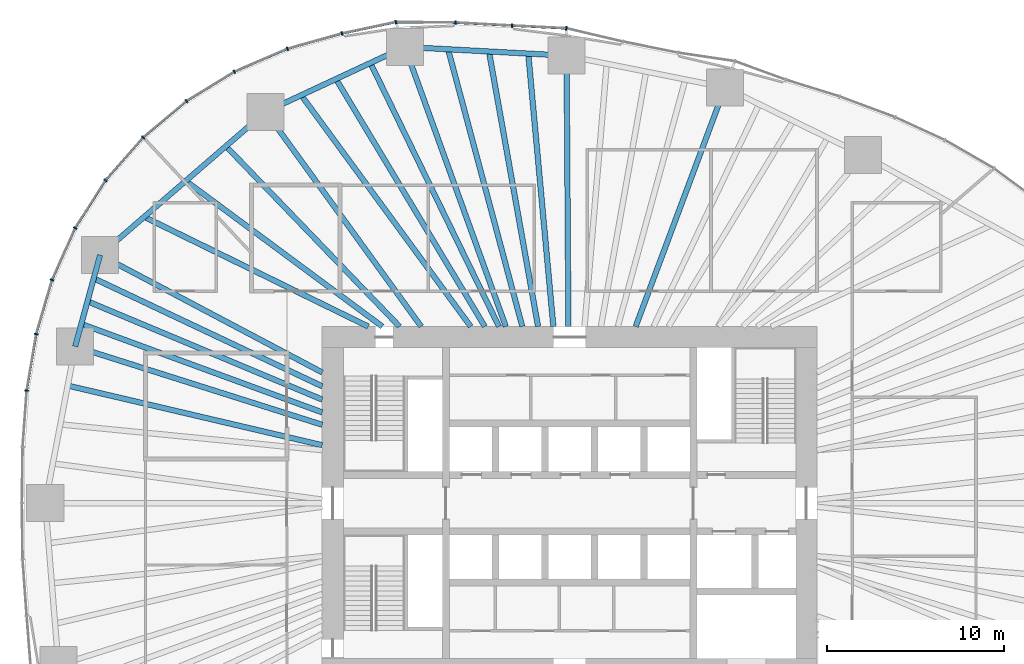
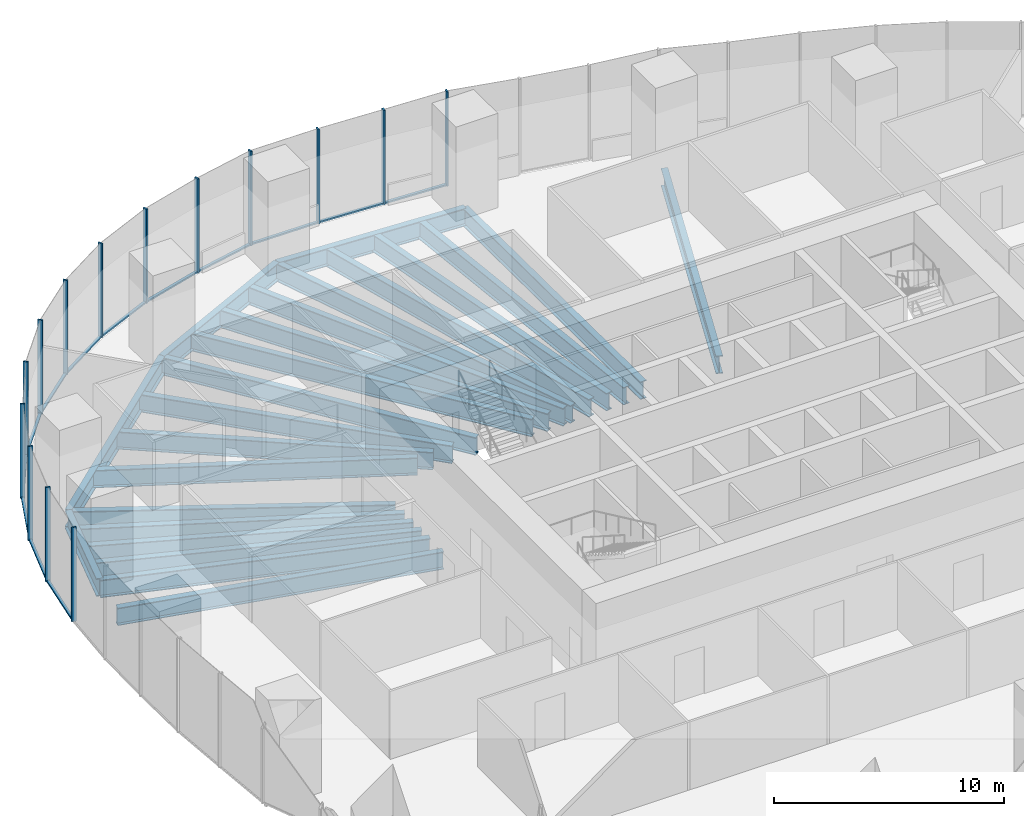
# One storey, part 5 of 20: 27 members, 23 beams, 5 elements without a shape of their own.
"""IFC4 building model written with IfcOpenShell, lengths in metres."""

from ifc_helpers import new_model, si_unit, direction, frame, origin, origin_2d, place, context, subcontext, project, spatial, rectangle, i_section, extrude, material, material_profile, profile_set, type_object, element, aggregate, save


model = new_model("IFC4")

# Units and contexts
model_context = context("Model", 3, precision=1e-05, world=origin(), true_north=direction((0.0, 1.0)))
body_context = subcontext(model_context, "Body", "Model", "MODEL_VIEW")
ifc_project = project(units=[si_unit("LENGTHUNIT", "METRE"), si_unit("AREAUNIT", "SQUARE_METRE"), si_unit("VOLUMEUNIT", "CUBIC_METRE"), si_unit("PLANEANGLEUNIT", "RADIAN"), si_unit("MASSUNIT", "GRAM", prefix="KILO")], contexts=[model_context])

# Site, building, storey
site_placement = place(None, origin())
site = spatial("IfcSite", under=ifc_project, at=site_placement, CompositionType="ELEMENT")
building_placement = place(site_placement, origin())
building = spatial("IfcBuilding", under=site, at=building_placement, Name="Ghaith Harvest Tower", CompositionType="ELEMENT")
storey_placement = place(building_placement, frame((0.0, 0.0, 40.0)))
storey = spatial("IfcBuildingStorey", under=building, at=storey_placement, Name="L08", CompositionType="ELEMENT", Elevation=40.0)

# Curtain wall, members
ifc_material_1 = material(Name="Black anodised aluminium and fritted glass", Category="aluminium")
curtain_wall_type = type_object("IfcCurtainWallType", Name="CW-F CURTAIN WALL", PredefinedType="NOTDEFINED", material=ifc_material_1)
curtain_wall_1_placement = place(storey_placement, origin())
curtain_wall_1 = element("IfcCurtainWall", 1, at=curtain_wall_1_placement, inside=storey, type_object=curtain_wall_type, Name="Curtain wall CW-F bay 06 L08", PredefinedType="NOTDEFINED")
ifc_material_2 = material(Name="Aluminium, black anodised", Category="aluminium")
ifc_material_profile_1 = material_profile(ifc_material_2, rectangle(XDim=0.080078125, YDim=0.219970703125, at=origin_2d()), Name="CW-F MULLION 80x220")
ifc_profile_set_1 = profile_set([ifc_material_profile_1], Name="Aluminium, black anodised")
member_type_1 = type_object("IfcMemberType", Name="CW-F MULLION 80x220", PredefinedType="MULLION", material=ifc_profile_set_1)
member_1_placement = place(storey_placement, frame((-0.183837890625, 26.877197265625, 0.0), z_axis=(0.0, 0.0, 1.0), x_axis=(-0.98971187143, 0.143074845976, 0.0)))
member_1 = element("IfcMember", 2, at=member_1_placement, type_object=member_type_1, Name="CW-F mullion 1 bay 06 L08", PredefinedType="MULLION", context=body_context, shape_type="SweptSolid", body=[
    extrude(rectangle(XDim=0.080078125, YDim=0.219970703125, at=origin_2d()), origin(), (0.0, 0.0, 1.0), 5.0),
])
member_2_placement = place(storey_placement, frame((-3.261962890625, 27.02978515625, 0.0), z_axis=(0.0, 0.0, 1.0), x_axis=(-0.998666923291, 0.051617597049, 0.0)))
member_2 = element("IfcMember", 3, at=member_2_placement, type_object=member_type_1, Name="CW-F mullion 2 bay 06 L08", PredefinedType="MULLION", context=body_context, shape_type="SweptSolid", body=[
    extrude(rectangle(XDim=0.080078125, YDim=0.219970703125, at=origin_2d()), origin(), (0.0, 0.0, 1.0), 5.0),
])
member_3_placement = place(storey_placement, frame((-6.465087890625, 27.20166015625, 0.0), z_axis=(0.0, 0.0, 1.0), x_axis=(-0.999527102163, 0.030750155138, 0.0)))
member_3 = element("IfcMember", 4, at=member_3_placement, type_object=member_type_1, Name="CW-F mullion 3 bay 06 L08", PredefinedType="MULLION", context=body_context, shape_type="SweptSolid", body=[
    extrude(rectangle(XDim=0.080078125, YDim=0.219970703125, at=origin_2d()), origin(), (0.0, 0.0, 1.0), 5.0),
])

curtain_wall_2_placement = place(storey_placement, origin())
curtain_wall_2 = element("IfcCurtainWall", 5, at=curtain_wall_2_placement, inside=storey, type_object=curtain_wall_type, Name="Curtain wall CW-F bay 07 L08", PredefinedType="NOTDEFINED")
member_4_placement = place(storey_placement, frame((-9.835693359375, 27.232177734375, 0.0), z_axis=(0.0, 0.0, 1.0), x_axis=(-0.995408459337, -0.095718332001, 0.0)))
member_4 = element("IfcMember", 6, at=member_4_placement, type_object=member_type_1, Name="CW-F mullion 1 bay 07 L08", PredefinedType="MULLION", context=body_context, shape_type="SweptSolid", body=[
    extrude(rectangle(XDim=0.080078125, YDim=0.219970703125, at=origin_2d()), origin(), (0.0, 0.0, 1.0), 5.0),
])
member_5_placement = place(storey_placement, frame((-12.880615234375, 26.5849609375, 0.0), z_axis=(0.0, 0.0, 1.0), x_axis=(-0.970824511782, -0.239791091, 0.0)))
member_5 = element("IfcMember", 7, at=member_5_placement, type_object=member_type_1, Name="CW-F mullion 2 bay 07 L08", PredefinedType="MULLION", context=body_context, shape_type="SweptSolid", body=[
    extrude(rectangle(XDim=0.080078125, YDim=0.219970703125, at=origin_2d()), origin(), (0.0, 0.0, 1.0), 5.0),
])
member_6_placement = place(storey_placement, frame((-15.97119140625, 25.716552734375, 0.0), z_axis=(0.0, 0.0, 1.0), x_axis=(-0.942293550527, -0.334787790451, 0.0)))
member_6 = element("IfcMember", 8, at=member_6_placement, type_object=member_type_1, Name="CW-F mullion 3 bay 07 L08", PredefinedType="MULLION", context=body_context, shape_type="SweptSolid", body=[
    extrude(rectangle(XDim=0.080078125, YDim=0.219970703125, at=origin_2d()), origin(), (0.0, 0.0, 1.0), 5.0),
])

curtain_wall_3_placement = place(storey_placement, origin())
curtain_wall_3 = element("IfcCurtainWall", 9, at=curtain_wall_3_placement, inside=storey, type_object=curtain_wall_type, Name="Curtain wall CW-F bay 08 L08", PredefinedType="NOTDEFINED")
member_7_placement = place(storey_placement, frame((-18.96728515625, 24.42236328125, 0.0), z_axis=(0.0, 0.0, 1.0), x_axis=(-0.887912253252, -0.460012859086, 0.0)))
member_7 = element("IfcMember", 10, at=member_7_placement, type_object=member_type_1, Name="CW-F mullion 1 bay 08 L08", PredefinedType="MULLION", context=body_context, shape_type="SweptSolid", body=[
    extrude(rectangle(XDim=0.080078125, YDim=0.219970703125, at=origin_2d()), origin(), (0.0, 0.0, 1.0), 5.0),
])
member_8_placement = place(storey_placement, frame((-21.681640625, 22.758056640625, 0.0), z_axis=(0.0, 0.0, 1.0), x_axis=(-0.811400750439, -0.584490224202, 0.0)))
member_8 = element("IfcMember", 11, at=member_8_placement, type_object=member_type_1, Name="CW-F mullion 2 bay 08 L08", PredefinedType="MULLION", context=body_context, shape_type="SweptSolid", body=[
    extrude(rectangle(XDim=0.080078125, YDim=0.219970703125, at=origin_2d()), origin(), (0.0, 0.0, 1.0), 5.0),
])
member_9_placement = place(storey_placement, frame((-24.139404296875, 20.696533203125, 0.0), z_axis=(0.0, 0.0, 1.0), x_axis=(-0.714663248213, -0.699468685256, 0.0)))
member_9 = element("IfcMember", 12, at=member_9_placement, type_object=member_type_1, Name="CW-F mullion 3 bay 08 L08", PredefinedType="MULLION", context=body_context, shape_type="SweptSolid", body=[
    extrude(rectangle(XDim=0.080078125, YDim=0.219970703125, at=origin_2d()), origin(), (0.0, 0.0, 1.0), 5.0),
])

curtain_wall_4_placement = place(storey_placement, origin())
curtain_wall_4 = element("IfcCurtainWall", 13, at=curtain_wall_4_placement, inside=storey, type_object=curtain_wall_type, Name="Curtain wall CW-F bay 09 L08", PredefinedType="NOTDEFINED")
member_10_placement = place(storey_placement, frame((-26.26318359375, 18.274169921875, 0.0), z_axis=(0.0, 0.0, 1.0), x_axis=(-0.599861600644, -0.800103780814, 0.0)))
member_10 = element("IfcMember", 14, at=member_10_placement, type_object=member_type_1, Name="CW-F mullion 1 bay 09 L08", PredefinedType="MULLION", context=body_context, shape_type="SweptSolid", body=[
    extrude(rectangle(XDim=0.080078125, YDim=0.219970703125, at=origin_2d()), origin(), (0.0, 0.0, 1.0), 5.0),
])
member_11_placement = place(storey_placement, frame((-27.986328125, 15.5654296875, 0.0), z_axis=(0.0, 0.0, 1.0), x_axis=(-0.473265082758, -0.880920065297, 0.0)))
member_11 = element("IfcMember", 15, at=member_11_placement, type_object=member_type_1, Name="CW-F mullion 2 bay 09 L08", PredefinedType="MULLION", context=body_context, shape_type="SweptSolid", body=[
    extrude(rectangle(XDim=0.080078125, YDim=0.219970703125, at=origin_2d()), origin(), (0.0, 0.0, 1.0), 5.0),
])
member_12_placement = place(storey_placement, frame((-29.29248046875, 12.63525390625, 0.0), z_axis=(0.0, 0.0, 1.0), x_axis=(-0.344618322502, -0.938742889079, 0.0)))
member_12 = element("IfcMember", 16, at=member_12_placement, type_object=member_type_1, Name="CW-F mullion 3 bay 09 L08", PredefinedType="MULLION", context=body_context, shape_type="SweptSolid", body=[
    extrude(rectangle(XDim=0.080078125, YDim=0.219970703125, at=origin_2d()), origin(), (0.0, 0.0, 1.0), 5.0),
])

curtain_wall_5_placement = place(storey_placement, origin())
curtain_wall_5 = element("IfcCurtainWall", 17, at=curtain_wall_5_placement, inside=storey, type_object=curtain_wall_type, Name="Curtain wall CW-F bay 10 L08", PredefinedType="NOTDEFINED")
member_13_placement = place(storey_placement, frame((-30.1884765625, 9.567138671875, 0.0), z_axis=(0.0, 0.0, 1.0), x_axis=(-0.222967363645, -0.97482590997, 0.0)))
member_13 = element("IfcMember", 18, at=member_13_placement, type_object=member_type_1, Name="CW-F mullion 1 bay 10 L08", PredefinedType="MULLION", context=body_context, shape_type="SweptSolid", body=[
    extrude(rectangle(XDim=0.080078125, YDim=0.219970703125, at=origin_2d()), origin(), (0.0, 0.0, 1.0), 5.0),
])
member_14_placement = place(storey_placement, frame((-30.724365234375, 6.37548828125, 0.0), z_axis=(0.0, 0.0, 1.0), x_axis=(-0.119352816132, -0.99285190501, 0.0)))
member_14 = element("IfcMember", 19, at=member_14_placement, type_object=member_type_1, Name="CW-F mullion 2 bay 10 L08", PredefinedType="MULLION", context=body_context, shape_type="SweptSolid", body=[
    extrude(rectangle(XDim=0.080078125, YDim=0.219970703125, at=origin_2d()), origin(), (0.0, 0.0, 1.0), 5.0),
])

# Member
ifc_material_3 = material(Name="Aluminium, black anodised", Category="aluminium")
ifc_material_profile_2 = material_profile(ifc_material_3, rectangle(XDim=0.139892578125, YDim=0.080078125, at=origin_2d()), Name="CW-F TRANSOM 140x80")
ifc_profile_set_2 = profile_set([ifc_material_profile_2], Name="Aluminium, black anodised")
member_type_2 = type_object("IfcMemberType", Name="CW-F TRANSOM 140x80", PredefinedType="USERDEFINED", material=ifc_profile_set_2)
member_15_placement = place(storey_placement, frame((-0.223876953125, 26.879150390625, 0.0400390625), z_axis=(-0.998772539109, 0.049531960612, 0.0), x_axis=(-0.049531960612, -0.998772539109, 0.0)))
member_15 = element("IfcMember", 20, at=member_15_placement, type_object=member_type_2, Name="CW-F transom 1 bay 06 L08", ObjectType="TRANSOM", PredefinedType="USERDEFINED", context=body_context, shape_type="SweptSolid", body=[
    extrude(rectangle(XDim=0.139892578125, YDim=0.080078125, at=origin_2d()), origin(), (0.0, 0.0, 1.0), 3.001708984375),
])

member_16_placement = place(storey_placement, frame((-3.3017578125, 27.031982421875, 0.0400390625), z_axis=(-0.99856142387, 0.053619798202, 0.0), x_axis=(-0.053619798202, -0.99856142387, 0.0)))
member_16 = element("IfcMember", 21, at=member_16_placement, type_object=member_type_2, Name="CW-F transom 2 bay 06 L08", ObjectType="TRANSOM", PredefinedType="USERDEFINED", context=body_context, shape_type="SweptSolid", body=[
    extrude(rectangle(XDim=0.139892578125, YDim=0.080078125, at=origin_2d()), origin(), (0.0, 0.0, 1.0), 3.1279296875),
])

member_17_placement = place(storey_placement, frame((-6.505126953125, 27.2021484375, 0.0400390625), z_axis=(-0.999959703847, 0.008977231352, 0.0), x_axis=(-0.008977231352, -0.999959703847, 0.0)))
member_17 = element("IfcMember", 22, at=member_17_placement, type_object=member_type_2, Name="CW-F transom 3 bay 06 L08", ObjectType="TRANSOM", PredefinedType="USERDEFINED", context=body_context, shape_type="SweptSolid", body=[
    extrude(rectangle(XDim=0.139892578125, YDim=0.080078125, at=origin_2d()), origin(), (0.0, 0.0, 1.0), 3.290771484375),
])

aggregate(curtain_wall_1, [member_1, member_15, member_2, member_16, member_3, member_17])

member_18_placement = place(storey_placement, frame((-9.874755859375, 27.2236328125, 0.0400390625), z_axis=(-0.978160283029, -0.207852016359, 0.0), x_axis=(0.207852016359, -0.978160283029, 0.0)))
member_18 = element("IfcMember", 23, at=member_18_placement, type_object=member_type_2, Name="CW-F transom 1 bay 07 L08", ObjectType="TRANSOM", PredefinedType="USERDEFINED", context=body_context, shape_type="SweptSolid", body=[
    extrude(rectangle(XDim=0.139892578125, YDim=0.080078125, at=origin_2d()), origin(), (0.0, 0.0, 1.0), 3.03271484375),
])

member_19_placement = place(storey_placement, frame((-12.9189453125, 26.573974609375, 0.0400390625), z_axis=(-0.962727128991, -0.270474536888, 0.0), x_axis=(0.270474536888, -0.962727128991, 0.0)))
member_19 = element("IfcMember", 24, at=member_19_placement, type_object=member_type_2, Name="CW-F transom 2 bay 07 L08", ObjectType="TRANSOM", PredefinedType="USERDEFINED", context=body_context, shape_type="SweptSolid", body=[
    extrude(rectangle(XDim=0.139892578125, YDim=0.080078125, at=origin_2d()), origin(), (0.0, 0.0, 1.0), 3.13037109375),
])

member_20_placement = place(storey_placement, frame((-16.008056640625, 25.70068359375, 0.0400390625), z_axis=(-0.9180027124, -0.396574104079, 0.0), x_axis=(0.396574104079, -0.9180027124, 0.0)))
member_20 = element("IfcMember", 25, at=member_20_placement, type_object=member_type_2, Name="CW-F transom 3 bay 07 L08", ObjectType="TRANSOM", PredefinedType="USERDEFINED", context=body_context, shape_type="SweptSolid", body=[
    extrude(rectangle(XDim=0.139892578125, YDim=0.080078125, at=origin_2d()), origin(), (0.0, 0.0, 1.0), 3.183349609375),
])

aggregate(curtain_wall_2, [member_4, member_18, member_5, member_19, member_6, member_20])

member_21_placement = place(storey_placement, frame((-19.001220703125, 24.4013671875, 0.0400390625), z_axis=(-0.852561687195, -0.522626606219, 0.0), x_axis=(0.522626606219, -0.852561687195, 0.0)))
member_21 = element("IfcMember", 26, at=member_21_placement, type_object=member_type_2, Name="CW-F transom 1 bay 08 L08", ObjectType="TRANSOM", PredefinedType="USERDEFINED", context=body_context, shape_type="SweptSolid", body=[
    extrude(rectangle(XDim=0.139892578125, YDim=0.080078125, at=origin_2d()), origin(), (0.0, 0.0, 1.0), 3.104248046875),
])

member_22_placement = place(storey_placement, frame((-21.71240234375, 22.732421875, 0.0400390625), z_axis=(-0.766144434184, -0.642668426149, 0.0), x_axis=(0.642668426149, -0.766144434184, 0.0)))
member_22 = element("IfcMember", 27, at=member_22_placement, type_object=member_type_2, Name="CW-F transom 2 bay 08 L08", ObjectType="TRANSOM", PredefinedType="USERDEFINED", context=body_context, shape_type="SweptSolid", body=[
    extrude(rectangle(XDim=0.139892578125, YDim=0.080078125, at=origin_2d()), origin(), (0.0, 0.0, 1.0), 3.1279296875),
])

member_23_placement = place(storey_placement, frame((-24.165771484375, 20.66650390625, 0.0400390625), z_axis=(-0.65923052982, -0.751940894322, 0.0), x_axis=(0.751940894322, -0.65923052982, 0.0)))
member_23 = element("IfcMember", 28, at=member_23_placement, type_object=member_type_2, Name="CW-F transom 3 bay 08 L08", ObjectType="TRANSOM", PredefinedType="USERDEFINED", context=body_context, shape_type="SweptSolid", body=[
    extrude(rectangle(XDim=0.139892578125, YDim=0.080078125, at=origin_2d()), origin(), (0.0, 0.0, 1.0), 3.1416015625),
])

aggregate(curtain_wall_3, [member_7, member_21, member_8, member_22, member_9, member_23])

member_24_placement = place(storey_placement, frame((-26.28466796875, 18.240234375, 0.0400390625), z_axis=(-0.536754366643, -0.843738555412, 0.0), x_axis=(0.843738555412, -0.536754366643, 0.0)))
member_24 = element("IfcMember", 29, at=member_24_placement, type_object=member_type_2, Name="CW-F transom 1 bay 09 L08", ObjectType="TRANSOM", PredefinedType="USERDEFINED", context=body_context, shape_type="SweptSolid", body=[
    extrude(rectangle(XDim=0.139892578125, YDim=0.080078125, at=origin_2d()), origin(), (0.0, 0.0, 1.0), 3.13037109375),
])

member_25_placement = place(storey_placement, frame((-28.002685546875, 15.52880859375, 0.0400390625), z_axis=(-0.407123143204, -0.913373278714, 0.0), x_axis=(0.913373278714, -0.407123143204, 0.0)))
member_25 = element("IfcMember", 30, at=member_25_placement, type_object=member_type_2, Name="CW-F transom 2 bay 09 L08", ObjectType="TRANSOM", PredefinedType="USERDEFINED", context=body_context, shape_type="SweptSolid", body=[
    extrude(rectangle(XDim=0.139892578125, YDim=0.080078125, at=origin_2d()), origin(), (0.0, 0.0, 1.0), 3.1279296875),
])

member_26_placement = place(storey_placement, frame((-29.3037109375, 12.596923828125, 0.0400390625), z_axis=(-0.280324903873, -0.959905176707, 0.0), x_axis=(0.959905176707, -0.280324903873, 0.0)))
member_26 = element("IfcMember", 31, at=member_26_placement, type_object=member_type_2, Name="CW-F transom 3 bay 09 L08", ObjectType="TRANSOM", PredefinedType="USERDEFINED", context=body_context, shape_type="SweptSolid", body=[
    extrude(rectangle(XDim=0.139892578125, YDim=0.080078125, at=origin_2d()), origin(), (0.0, 0.0, 1.0), 3.1162109375),
])

aggregate(curtain_wall_4, [member_10, member_24, member_11, member_25, member_12, member_26])

member_27_placement = place(storey_placement, frame((-30.195068359375, 9.52783203125, 0.0400390625), z_axis=(-0.165527763099, -0.986205130611, 0.0), x_axis=(0.986205130611, -0.165527763099, 0.0)))
member_27 = element("IfcMember", 32, at=member_27_placement, type_object=member_type_2, Name="CW-F transom 1 bay 10 L08", ObjectType="TRANSOM", PredefinedType="USERDEFINED", context=body_context, shape_type="SweptSolid", body=[
    extrude(rectangle(XDim=0.139892578125, YDim=0.080078125, at=origin_2d()), origin(), (0.0, 0.0, 1.0), 3.15625),
])

aggregate(curtain_wall_5, [member_13, member_27, member_14])

# Beams
ifc_material_4 = material(Name="Steel ASTM A992 Grade 50", Category="steel")
ifc_material_profile_3 = material_profile(ifc_material_4, i_section(OverallWidth=0.306884765625, OverallDepth=0.94189453125, WebThickness=0.022216796875, FlangeThickness=0.039794921875, at=origin_2d()), Name="W920X345")
ifc_profile_set_3 = profile_set([ifc_material_profile_3], Name="Steel ASTM A992 Grade 50")
beam_type_1 = type_object("IfcBeamType", Name="E920-345 W920X345", PredefinedType="SPANDREL", material=ifc_profile_set_3)
beam_1_placement = place(storey_placement, frame((-0.173095703125, 25.326904296875, -0.6708984375), z_axis=(-0.998545840532, 0.053909223293, 0.0), x_axis=(-0.053909223293, -0.998545840532, 0.0)))
element("IfcBeam", 33, at=beam_1_placement, inside=storey, type_object=beam_type_1, Name="Edge beam E06 L08", PredefinedType="SPANDREL", context=body_context, shape_type="SweptSolid", body=[
    extrude(i_section(OverallWidth=0.306884765625, OverallDepth=0.94189453125, WebThickness=0.022216796875, FlangeThickness=0.039794921875, at=origin_2d()), origin(), (0.0, 0.0, 1.0), 9.166259765625),
])
beam_2_placement = place(storey_placement, frame((-9.325927734375, 25.821044921875, -0.6708984375), z_axis=(-0.906373259523, -0.422477827137, 0.0), x_axis=(0.422477827137, -0.906373259523, 0.0)))
element("IfcBeam", 34, at=beam_2_placement, inside=storey, type_object=beam_type_1, Name="Edge beam E07 L08", PredefinedType="SPANDREL", context=body_context, shape_type="SweptSolid", body=[
    extrude(i_section(OverallWidth=0.306884765625, OverallDepth=0.94189453125, WebThickness=0.022216796875, FlangeThickness=0.039794921875, at=origin_2d()), origin(), (0.0, 0.0, 1.0), 8.689453125),
])
beam_3_placement = place(storey_placement, frame((-17.201904296875, 22.14990234375, -0.6708984375), z_axis=(-0.756392158274, -0.654118416574, 0.0), x_axis=(0.654118416574, -0.756392158274, 0.0)))
element("IfcBeam", 35, at=beam_3_placement, inside=storey, type_object=beam_type_1, Name="Edge beam E08 L08", PredefinedType="SPANDREL", context=body_context, shape_type="SweptSolid", body=[
    extrude(i_section(OverallWidth=0.306884765625, OverallDepth=0.94189453125, WebThickness=0.022216796875, FlangeThickness=0.039794921875, at=origin_2d()), origin(), (0.0, 0.0, 1.0), 12.38916015625),
])
beam_4_placement = place(storey_placement, frame((-26.572998046875, 14.0458984375, -0.6708984375), z_axis=(-0.262724740433, -0.964870825947, 0.0), x_axis=(0.964870825947, -0.262724740433, 0.0)))
element("IfcBeam", 36, at=beam_4_placement, inside=storey, type_object=beam_type_1, Name="Edge beam E09 L08", PredefinedType="SPANDREL", context=body_context, shape_type="SweptSolid", body=[
    extrude(i_section(OverallWidth=0.306884765625, OverallDepth=0.94189453125, WebThickness=0.022216796875, FlangeThickness=0.039794921875, at=origin_2d()), origin(), (0.0, 0.0, 1.0), 5.366455078125),
])
ifc_material_5 = material(Name="Steel ASTM A992 Grade 50", Category="steel")
ifc_material_profile_4 = material_profile(ifc_material_5, i_section(OverallWidth=0.306884765625, OverallDepth=0.94189453125, WebThickness=0.022216796875, FlangeThickness=0.039794921875, at=origin_2d()), Name="W920X345")
ifc_profile_set_4 = profile_set([ifc_material_profile_4], Name="Steel ASTM A992 Grade 50")
beam_type_2 = type_object("IfcBeamType", Name="G920-345 W920X345", PredefinedType="BEAM", material=ifc_profile_set_4)
beam_5_placement = place(storey_placement, frame((3.73828125, 10.0, -0.6708984375), z_axis=(0.350150596156, 0.936693418367, 0.0), x_axis=(-0.936693418367, 0.350150596156, 0.0)))
element("IfcBeam", 37, at=beam_5_placement, inside=storey, type_object=beam_type_2, Name="Radial girder G05 L08", PredefinedType="BEAM", context=body_context, shape_type="SweptSolid", body=[
    extrude(i_section(OverallWidth=0.306884765625, OverallDepth=0.94189453125, WebThickness=0.022216796875, FlangeThickness=0.039794921875, at=origin_2d()), origin(), (0.0, 0.0, 1.0), 14.44140625),
])
beam_6_placement = place(storey_placement, frame((-0.068359375, 10.0, -0.6708984375), z_axis=(-0.006833335732, 0.999976652489, 0.0), x_axis=(-0.999976652489, -0.006833335732, 0.0)))
element("IfcBeam", 38, at=beam_6_placement, inside=storey, type_object=beam_type_2, Name="Radial girder G06 L08", PredefinedType="BEAM", context=body_context, shape_type="SweptSolid", body=[
    extrude(i_section(OverallWidth=0.306884765625, OverallDepth=0.94189453125, WebThickness=0.022216796875, FlangeThickness=0.039794921875, at=origin_2d()), origin(), (0.0, 0.0, 1.0), 15.3271484375),
])
beam_7_placement = place(storey_placement, frame((-3.61181640625, 10.0, -0.6708984375), z_axis=(-0.339694751271, 0.940535738799, 0.0), x_axis=(-0.940535738799, -0.339694751271, 0.0)))
element("IfcBeam", 39, at=beam_7_placement, inside=storey, type_object=beam_type_2, Name="Radial girder G07 L08", PredefinedType="BEAM", context=body_context, shape_type="SweptSolid", body=[
    extrude(i_section(OverallWidth=0.306884765625, OverallDepth=0.94189453125, WebThickness=0.022216796875, FlangeThickness=0.039794921875, at=origin_2d()), origin(), (0.0, 0.0, 1.0), 16.8212890625),
])
beam_8_placement = place(storey_placement, frame((-8.39990234375, 10.0, -0.6708984375), z_axis=(-0.586675813287, 0.809821887889, 0.0), x_axis=(-0.809821887889, -0.586675813287, 0.0)))
element("IfcBeam", 40, at=beam_8_placement, inside=storey, type_object=beam_type_2, Name="Radial girder G08 L08", PredefinedType="BEAM", context=body_context, shape_type="SweptSolid", body=[
    extrude(i_section(OverallWidth=0.306884765625, OverallDepth=0.94189453125, WebThickness=0.022216796875, FlangeThickness=0.039794921875, at=origin_2d()), origin(), (0.0, 0.0, 1.0), 15.003173828125),
])
beam_9_placement = place(storey_placement, frame((-14.0, 7.39990234375, -0.6708984375), z_axis=(-0.88408713845, 0.467322085533, 0.0), x_axis=(-0.467322085533, -0.88408713845, 0.0)))
element("IfcBeam", 41, at=beam_9_placement, inside=storey, type_object=beam_type_2, Name="Radial girder G09 L08", PredefinedType="BEAM", context=body_context, shape_type="SweptSolid", body=[
    extrude(i_section(OverallWidth=0.306884765625, OverallDepth=0.94189453125, WebThickness=0.022216796875, FlangeThickness=0.039794921875, at=origin_2d()), origin(), (0.0, 0.0, 1.0), 14.221435546875),
])
beam_10_placement = place(storey_placement, frame((-14.0, 4.43701171875, -0.6708984375), z_axis=(-0.953283605796, 0.302076756671, 0.0), x_axis=(-0.302076756671, -0.953283605796, 0.0)))
element("IfcBeam", 42, at=beam_10_placement, inside=storey, type_object=beam_type_2, Name="Radial girder G10 L08", PredefinedType="BEAM", context=body_context, shape_type="SweptSolid", body=[
    extrude(i_section(OverallWidth=0.306884765625, OverallDepth=0.94189453125, WebThickness=0.022216796875, FlangeThickness=0.039794921875, at=origin_2d()), origin(), (0.0, 0.0, 1.0), 14.668212890625),
])
ifc_material_6 = material(Name="Steel ASTM A992 Grade 50", Category="steel")
ifc_material_profile_5 = material_profile(ifc_material_6, i_section(OverallWidth=0.31005859375, OverallDepth=0.927001953125, WebThickness=0.019287109375, FlangeThickness=0.031982421875, at=origin_2d()), Name="W920X289")
ifc_profile_set_5 = profile_set([ifc_material_profile_5], Name="Steel ASTM A992 Grade 50")
beam_type_3 = type_object("IfcBeamType", Name="J920-289 W920X289", PredefinedType="JOIST", material=ifc_profile_set_5)
beam_11_placement = place(storey_placement, frame((-0.92041015625, 10.0, -0.66357421875), z_axis=(-0.091647013776, 0.995791556936, 0.0), x_axis=(-0.995791556936, -0.091647013776, 0.0)))
element("IfcBeam", 43, at=beam_11_placement, inside=storey, type_object=beam_type_3, Name="Joist J06.1 L08", PredefinedType="JOIST", context=body_context, shape_type="SweptSolid", body=[
    extrude(i_section(OverallWidth=0.31005859375, OverallDepth=0.927001953125, WebThickness=0.019287109375, FlangeThickness=0.031982421875, at=origin_2d()), origin(), (0.0, 0.0, 1.0), 15.50927734375),
])
beam_12_placement = place(storey_placement, frame((-1.785888671875, 10.0, -0.66357421875), z_axis=(-0.175789035136, 0.984427861819, 0.0), x_axis=(-0.984427861819, -0.175789035136, 0.0)))
element("IfcBeam", 44, at=beam_12_placement, inside=storey, type_object=beam_type_3, Name="Joist J06.2 L08", PredefinedType="JOIST", context=body_context, shape_type="SweptSolid", body=[
    extrude(i_section(OverallWidth=0.31005859375, OverallDepth=0.927001953125, WebThickness=0.019287109375, FlangeThickness=0.031982421875, at=origin_2d()), origin(), (0.0, 0.0, 1.0), 15.810302734375),
])
beam_13_placement = place(storey_placement, frame((-10.60009765625, 10.0, -0.66357421875), z_axis=(-0.803663089107, 0.595084564752, 0.0), x_axis=(-0.595084564752, -0.803663089107, 0.0)))
element("IfcBeam", 45, at=beam_13_placement, inside=storey, type_object=beam_type_3, Name="Joist J08.2 L08", PredefinedType="JOIST", context=body_context, shape_type="SweptSolid", body=[
    extrude(i_section(OverallWidth=0.31005859375, OverallDepth=0.927001953125, WebThickness=0.019287109375, FlangeThickness=0.031982421875, at=origin_2d()), origin(), (0.0, 0.0, 1.0), 13.843505859375),
])
beam_14_placement = place(storey_placement, frame((-11.39990234375, 10.0, -0.66357421875), z_axis=(-0.898274832354, 0.439434096946, 0.0), x_axis=(-0.439434096946, -0.898274832354, 0.0)))
element("IfcBeam", 46, at=beam_14_placement, inside=storey, type_object=beam_type_3, Name="Joist J08.3 L08", PredefinedType="JOIST", context=body_context, shape_type="SweptSolid", body=[
    extrude(i_section(OverallWidth=0.31005859375, OverallDepth=0.927001953125, WebThickness=0.019287109375, FlangeThickness=0.031982421875, at=origin_2d()), origin(), (0.0, 0.0, 1.0), 14.114990234375),
])
beam_15_placement = place(storey_placement, frame((-14.0, 6.614990234375, -0.66357421875), z_axis=(-0.904153428261, 0.427207886354, 0.0), x_axis=(-0.427207886354, -0.904153428261, 0.0)))
element("IfcBeam", 47, at=beam_15_placement, inside=storey, type_object=beam_type_3, Name="Joist J09.1 L08", PredefinedType="JOIST", context=body_context, shape_type="SweptSolid", body=[
    extrude(i_section(OverallWidth=0.31005859375, OverallDepth=0.927001953125, WebThickness=0.019287109375, FlangeThickness=0.031982421875, at=origin_2d()), origin(), (0.0, 0.0, 1.0), 14.303466796875),
])
beam_16_placement = place(storey_placement, frame((-14.0, 5.862548828125, -0.66357421875), z_axis=(-0.922385943167, 0.38626955853, 0.0), x_axis=(-0.38626955853, -0.922385943167, 0.0)))
element("IfcBeam", 48, at=beam_16_placement, inside=storey, type_object=beam_type_3, Name="Joist J09.2 L08", PredefinedType="JOIST", context=body_context, shape_type="SweptSolid", body=[
    extrude(i_section(OverallWidth=0.31005859375, OverallDepth=0.927001953125, WebThickness=0.019287109375, FlangeThickness=0.031982421875, at=origin_2d()), origin(), (0.0, 0.0, 1.0), 14.404296875),
])
beam_17_placement = place(storey_placement, frame((-14.0, 5.137939453125, -0.66357421875), z_axis=(-0.93877541132, 0.344529718748, 0.0), x_axis=(-0.344529718748, -0.93877541132, 0.0)))
element("IfcBeam", 49, at=beam_17_placement, inside=storey, type_object=beam_type_3, Name="Joist J09.3 L08", PredefinedType="JOIST", context=body_context, shape_type="SweptSolid", body=[
    extrude(i_section(OverallWidth=0.31005859375, OverallDepth=0.927001953125, WebThickness=0.019287109375, FlangeThickness=0.031982421875, at=origin_2d()), origin(), (0.0, 0.0, 1.0), 14.525390625),
])
beam_18_placement = place(storey_placement, frame((-14.0, 3.280517578125, -0.66357421875), z_axis=(-0.973623012228, 0.228162727151, 0.0), x_axis=(-0.228162727151, -0.973623012228, 0.0)))
element("IfcBeam", 50, at=beam_18_placement, inside=storey, type_object=beam_type_3, Name="Joist J10.1 L08", PredefinedType="JOIST", context=body_context, shape_type="SweptSolid", body=[
    extrude(i_section(OverallWidth=0.31005859375, OverallDepth=0.927001953125, WebThickness=0.019287109375, FlangeThickness=0.031982421875, at=origin_2d()), origin(), (0.0, 0.0, 1.0), 14.795166015625),
])
ifc_material_7 = material(Name="Steel ASTM A992 Grade 50", Category="steel")
ifc_material_profile_6 = material_profile(ifc_material_7, i_section(OverallWidth=0.306884765625, OverallDepth=0.94189453125, WebThickness=0.022216796875, FlangeThickness=0.039794921875, at=origin_2d()), Name="W920X345")
ifc_profile_set_6 = profile_set([ifc_material_profile_6], Name="Steel ASTM A992 Grade 50")
beam_type_4 = type_object("IfcBeamType", Name="J920-345 W920X345", PredefinedType="JOIST", material=ifc_profile_set_6)
beam_19_placement = place(storey_placement, frame((-2.677978515625, 10.0, -0.6708984375), z_axis=(-0.258679482451, 0.965963211183, 0.0), x_axis=(-0.965963211183, -0.258679482451, 0.0)))
element("IfcBeam", 51, at=beam_19_placement, inside=storey, type_object=beam_type_4, Name="Joist J06.3 L08", PredefinedType="JOIST", context=body_context, shape_type="SweptSolid", body=[
    extrude(i_section(OverallWidth=0.306884765625, OverallDepth=0.94189453125, WebThickness=0.022216796875, FlangeThickness=0.039794921875, at=origin_2d()), origin(), (0.0, 0.0, 1.0), 16.24169921875),
])
beam_20_placement = place(storey_placement, frame((-4.0, 10.0, -0.6708984375), z_axis=(-0.438505380705, 0.898728563635, 0.0), x_axis=(-0.898728563635, -0.438505380705, 0.0)))
element("IfcBeam", 52, at=beam_20_placement, inside=storey, type_object=beam_type_4, Name="Joist J07.1 L08", PredefinedType="JOIST", context=body_context, shape_type="SweptSolid", body=[
    extrude(i_section(OverallWidth=0.306884765625, OverallDepth=0.94189453125, WebThickness=0.022216796875, FlangeThickness=0.039794921875, at=origin_2d()), origin(), (0.0, 0.0, 1.0), 16.592529296875),
])
beam_21_placement = place(storey_placement, frame((-4.800048828125, 10.0, -0.6708984375), z_axis=(-0.515358894704, 0.85697445099, 0.0), x_axis=(-0.85697445099, -0.515358894704, 0.0)))
element("IfcBeam", 53, at=beam_21_placement, inside=storey, type_object=beam_type_4, Name="Joist J07.2 L08", PredefinedType="JOIST", context=body_context, shape_type="SweptSolid", body=[
    extrude(i_section(OverallWidth=0.306884765625, OverallDepth=0.94189453125, WebThickness=0.022216796875, FlangeThickness=0.039794921875, at=origin_2d()), origin(), (0.0, 0.0, 1.0), 16.34228515625),
])
beam_22_placement = place(storey_placement, frame((-5.60009765625, 10.0, -0.6708984375), z_axis=(-0.591008736068, 0.806665155992, 0.0), x_axis=(-0.806665155992, -0.591008736068, 0.0)))
element("IfcBeam", 54, at=beam_22_placement, inside=storey, type_object=beam_type_4, Name="Joist J07.3 L08", PredefinedType="JOIST", context=body_context, shape_type="SweptSolid", body=[
    extrude(i_section(OverallWidth=0.306884765625, OverallDepth=0.94189453125, WebThickness=0.022216796875, FlangeThickness=0.039794921875, at=origin_2d()), origin(), (0.0, 0.0, 1.0), 16.22509765625),
])
beam_23_placement = place(storey_placement, frame((-9.626708984375, 10.0, -0.6708984375), z_axis=(-0.693535693616, 0.720422266231, 0.0), x_axis=(-0.720422266231, -0.693535693616, 0.0)))
element("IfcBeam", 55, at=beam_23_placement, inside=storey, type_object=beam_type_4, Name="Joist J08.1 L08", PredefinedType="JOIST", context=body_context, shape_type="SweptSolid", body=[
    extrude(i_section(OverallWidth=0.306884765625, OverallDepth=0.94189453125, WebThickness=0.022216796875, FlangeThickness=0.039794921875, at=origin_2d()), origin(), (0.0, 0.0, 1.0), 14.16552734375),
])

save(model, "model.ifc")
